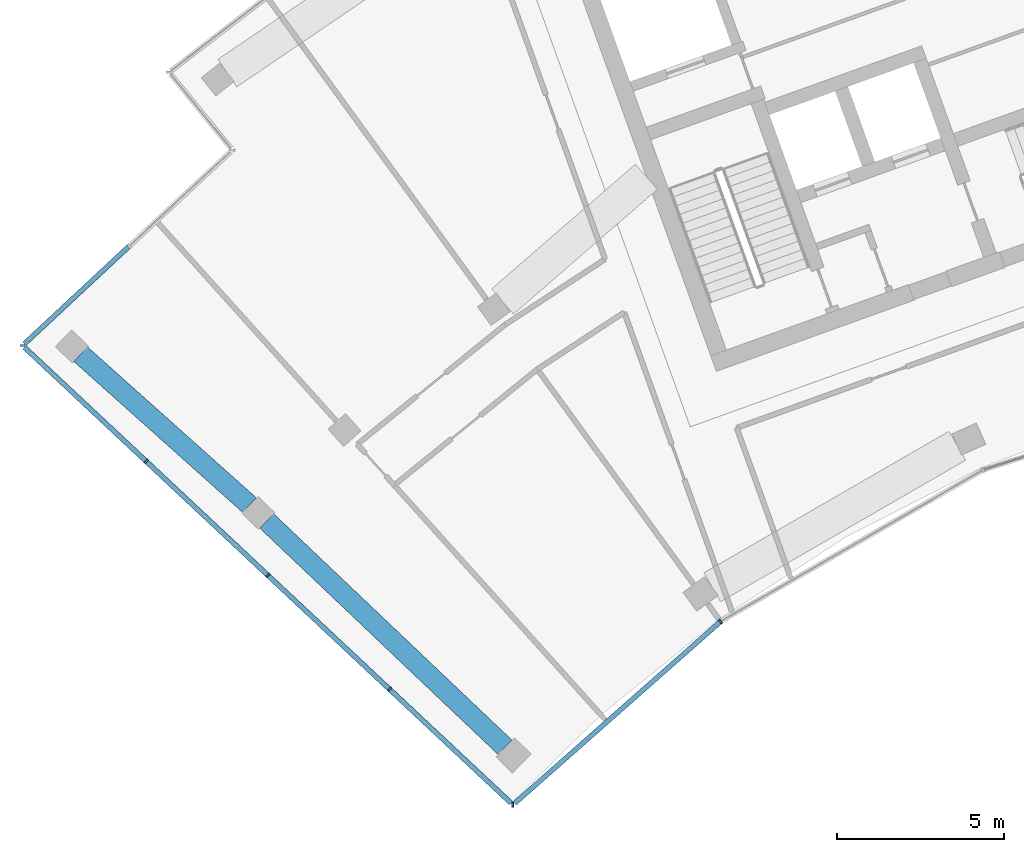
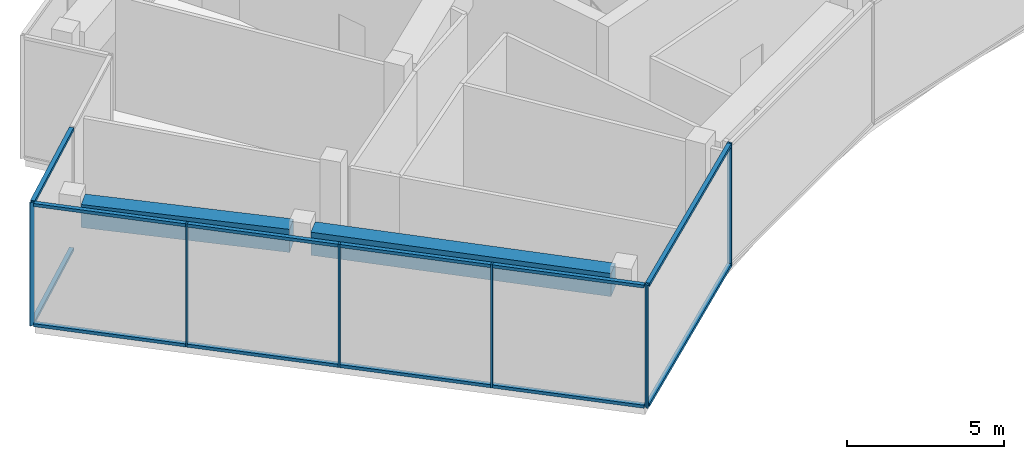
# One storey, part 2 of 17: 18 members, 2 beams, 3 elements without a shape of their own.
"""IFC4 building model written with IfcOpenShell, lengths in metres."""

from ifc_helpers import new_model, si_unit, direction, frame, origin, origin_2d, place, context, subcontext, project, spatial, rectangle, extrude, material, layer, layer_set, material_profile, profile_set, type_object, element, aggregate, save


model = new_model("IFC4")

# Units and contexts
model_context = context("Model", 3, precision=1e-05, world=origin(), true_north=direction((0.0, 1.0)))
body_context = subcontext(model_context, "Body", "Model", "MODEL_VIEW")
ifc_project = project(units=[si_unit("LENGTHUNIT", "METRE"), si_unit("AREAUNIT", "SQUARE_METRE"), si_unit("VOLUMEUNIT", "CUBIC_METRE"), si_unit("PLANEANGLEUNIT", "RADIAN"), si_unit("MASSUNIT", "GRAM", prefix="KILO")], contexts=[model_context])

# Site, building, storey
site_placement = place(None, origin())
site = spatial("IfcSite", under=ifc_project, at=site_placement, CompositionType="ELEMENT")
building_placement = place(site_placement, origin())
building = spatial("IfcBuilding", under=site, at=building_placement, Name="Stone Belt Terrace Tower", CompositionType="ELEMENT")
storey_placement = place(building_placement, frame((0.0, 0.0, 318.199951171875)))
storey = spatial("IfcBuildingStorey", under=building, at=storey_placement, Name="L77", CompositionType="ELEMENT", Elevation=318.199951171875)

# Curtain wall, members
ifc_material_1 = material(Name="Aluminium 6063-T6 anodised frame", Category="aluminium")
ifc_layer = layer(ifc_material_1, 0.14990234375)
ifc_layer_set = layer_set([ifc_layer], Name="CW-C stick curtain wall, horn ends and notches")
curtain_wall_type = type_object("IfcCurtainWallType", Name="CW-C stick curtain wall, horn ends and notches", PredefinedType="NOTDEFINED", material=ifc_layer_set)
curtain_wall_1_placement = place(storey_placement, origin())
curtain_wall_1 = element("IfcCurtainWall", 1, at=curtain_wall_1_placement, inside=storey, type_object=curtain_wall_type, Name="CW-C concave face L77", PredefinedType="NOTDEFINED")
ifc_material_profile_1 = material_profile(ifc_material_1, rectangle(XDim=0.14990234375, YDim=0.06005859375, at=origin_2d()), Name="Aluminium 6063-T6 60x150")
ifc_profile_set_1 = profile_set([ifc_material_profile_1], Name="Aluminium 6063-T6 anodised frame")
member_type_1 = type_object("IfcMemberType", Name="CW-C mullion 60 x 150", PredefinedType="MULLION", material=ifc_profile_set_1)
member_1_placement = place(storey_placement, frame((-31.75244140625, 29.633056640625, 0.0), z_axis=(0.0, 0.0, 1.0), x_axis=(0.014681639593, 0.999892218921, 0.0)))
member_1 = element("IfcMember", 2, at=member_1_placement, type_object=member_type_1, Name="CW-C mullion 1", PredefinedType="MULLION", context=body_context, shape_type="SweptSolid", body=[
    extrude(rectangle(XDim=0.14990234375, YDim=0.06005859375, at=origin_2d()), origin(), (0.0, 0.0, 1.0), 4.800048828125),
])
member_2_placement = place(storey_placement, frame((-25.524658203125, 35.131103515625, 0.0), z_axis=(0.0, 0.0, 1.0), x_axis=(-0.583818854632, 0.811883947973, 0.0)))
member_2 = element("IfcMember", 3, at=member_2_placement, type_object=member_type_1, Name="CW-C mullion 2", PredefinedType="MULLION", context=body_context, shape_type="SweptSolid", body=[
    extrude(rectangle(XDim=0.14990234375, YDim=0.06005859375, at=origin_2d()), origin(), (0.0, 0.0, 1.0), 4.800048828125),
])

curtain_wall_2_placement = place(storey_placement, origin())
curtain_wall_2 = element("IfcCurtainWall", 4, at=curtain_wall_2_placement, inside=storey, type_object=curtain_wall_type, Name="CW-C end face L77", PredefinedType="NOTDEFINED")
member_3_placement = place(storey_placement, frame((-46.458740234375, 43.405517578125, 0.0), z_axis=(0.0, 0.0, 1.0), x_axis=(0.999999447771, -0.00105093149, 0.0)))
member_3 = element("IfcMember", 5, at=member_3_placement, type_object=member_type_1, Name="CW-C mullion 1", PredefinedType="MULLION", context=body_context, shape_type="SweptSolid", body=[
    extrude(rectangle(XDim=0.14990234375, YDim=0.06005859375, at=origin_2d()), origin(), (0.0, 0.0, 1.0), 4.800048828125),
])
member_4_placement = place(storey_placement, frame((-42.750732421875, 39.932861328125, 0.0), z_axis=(0.0, 0.0, 1.0), x_axis=(0.683549434973, 0.729904219708, 0.0)))
member_4 = element("IfcMember", 6, at=member_4_placement, type_object=member_type_1, Name="CW-C mullion 2", PredefinedType="MULLION", context=body_context, shape_type="SweptSolid", body=[
    extrude(rectangle(XDim=0.14990234375, YDim=0.06005859375, at=origin_2d()), origin(), (0.0, 0.0, 1.0), 4.800048828125),
])
member_5_placement = place(storey_placement, frame((-39.10107421875, 36.51513671875, 0.0), z_axis=(0.0, 0.0, 1.0), x_axis=(0.683549434973, 0.729904219708, 0.0)))
member_5 = element("IfcMember", 7, at=member_5_placement, type_object=member_type_1, Name="CW-C mullion 3", PredefinedType="MULLION", context=body_context, shape_type="SweptSolid", body=[
    extrude(rectangle(XDim=0.14990234375, YDim=0.06005859375, at=origin_2d()), origin(), (0.0, 0.0, 1.0), 4.800048828125),
])
member_6_placement = place(storey_placement, frame((-35.45166015625, 33.097412109375, 0.0), z_axis=(0.0, 0.0, 1.0), x_axis=(0.683549434973, 0.729904219708, 0.0)))
member_6 = element("IfcMember", 8, at=member_6_placement, type_object=member_type_1, Name="CW-C mullion 4", PredefinedType="MULLION", context=body_context, shape_type="SweptSolid", body=[
    extrude(rectangle(XDim=0.14990234375, YDim=0.06005859375, at=origin_2d()), origin(), (0.0, 0.0, 1.0), 4.800048828125),
])

# Member
ifc_material_profile_2 = material_profile(ifc_material_1, rectangle(XDim=0.14990234375, YDim=0.1201171875, at=origin_2d()), Name="Aluminium 6063-T6 150x120")
ifc_profile_set_2 = profile_set([ifc_material_profile_2], Name="Aluminium 6063-T6 anodised frame")
member_type_2 = type_object("IfcMemberType", Name="CW-C transom 120 x 150", PredefinedType="USERDEFINED", material=ifc_profile_set_2)
member_7_placement = place(storey_placement, frame((-31.69775390625, 29.68115234375, 0.06005859375), z_axis=(0.749643131168, 0.661842259071, 0.0), x_axis=(-0.661842259071, 0.749643131168, 0.0)))
member_7 = element("IfcMember", 9, at=member_7_placement, type_object=member_type_2, Name="CW-C transom 1.1", ObjectType="TRANSOM", PredefinedType="USERDEFINED", context=body_context, shape_type="SweptSolid", body=[
    extrude(rectangle(XDim=0.14990234375, YDim=0.1201171875, at=origin_2d()), origin(), (0.0, 0.0, 1.0), 8.197265625),
])

member_8_placement = place(storey_placement, frame((-31.69775390625, 29.68115234375, 4.739990234375), z_axis=(0.749643131168, 0.661842259071, 0.0), x_axis=(-0.661842259071, 0.749643131168, 0.0)))
member_8 = element("IfcMember", 10, at=member_8_placement, type_object=member_type_2, Name="CW-C transom 1.2", ObjectType="TRANSOM", PredefinedType="USERDEFINED", context=body_context, shape_type="SweptSolid", body=[
    extrude(rectangle(XDim=0.14990234375, YDim=0.1201171875, at=origin_2d()), origin(), (0.0, 0.0, 1.0), 8.197265625),
])

aggregate(curtain_wall_1, [member_1, member_2, member_7, member_8])

# Curtain wall, members
curtain_wall_3_placement = place(storey_placement, origin())
curtain_wall_3 = element("IfcCurtainWall", 11, at=curtain_wall_3_placement, inside=storey, type_object=curtain_wall_type, Name="CW-C notch face L77", PredefinedType="NOTDEFINED")
member_9_placement = place(storey_placement, frame((-43.28173828125, 46.3681640625, 0.06005859375), z_axis=(-0.731353784958, -0.681998270693, 0.0), x_axis=(0.681998270693, -0.731353784958, 0.0)))
member_9 = element("IfcMember", 12, at=member_9_placement, type_object=member_type_2, Name="CW-C transom 2.1", ObjectType="TRANSOM", PredefinedType="USERDEFINED", context=body_context, shape_type="SweptSolid", body=[
    extrude(rectangle(XDim=0.14990234375, YDim=0.1201171875, at=origin_2d()), origin(), (0.0, 0.0, 1.0), 4.268798828125),
])
member_10_placement = place(storey_placement, frame((-43.28173828125, 46.3681640625, 4.739990234375), z_axis=(-0.731353784958, -0.681998270693, 0.0), x_axis=(0.681998270693, -0.731353784958, 0.0)))
member_10 = element("IfcMember", 13, at=member_10_placement, type_object=member_type_2, Name="CW-C transom 2.2", ObjectType="TRANSOM", PredefinedType="USERDEFINED", context=body_context, shape_type="SweptSolid", body=[
    extrude(rectangle(XDim=0.14990234375, YDim=0.1201171875, at=origin_2d()), origin(), (0.0, 0.0, 1.0), 4.268798828125),
])
aggregate(curtain_wall_3, [member_9, member_10])

# Member
member_11_placement = place(storey_placement, frame((-46.40380859375, 43.35400390625, 0.06005859375), z_axis=(0.729913558916, -0.683539462292, 0.0), x_axis=(0.683539462292, 0.729913558916, 0.0)))
member_11 = element("IfcMember", 14, at=member_11_placement, type_object=member_type_2, Name="CW-C transom 1.1", ObjectType="TRANSOM", PredefinedType="USERDEFINED", context=body_context, shape_type="SweptSolid", body=[
    extrude(rectangle(XDim=0.14990234375, YDim=0.1201171875, at=origin_2d()), origin(), (0.0, 0.0, 1.0), 4.97509765625),
])

member_12_placement = place(storey_placement, frame((-46.40380859375, 43.35400390625, 4.739990234375), z_axis=(0.729913558916, -0.683539462292, 0.0), x_axis=(0.683539462292, 0.729913558916, 0.0)))
member_12 = element("IfcMember", 15, at=member_12_placement, type_object=member_type_2, Name="CW-C transom 1.2", ObjectType="TRANSOM", PredefinedType="USERDEFINED", context=body_context, shape_type="SweptSolid", body=[
    extrude(rectangle(XDim=0.14990234375, YDim=0.1201171875, at=origin_2d()), origin(), (0.0, 0.0, 1.0), 4.97509765625),
])

member_13_placement = place(storey_placement, frame((-42.728759765625, 39.912353515625, 0.06005859375), z_axis=(0.729905447424, -0.683548123998, 0.0), x_axis=(0.683548123998, 0.729905447424, 0.0)))
member_13 = element("IfcMember", 16, at=member_13_placement, type_object=member_type_2, Name="CW-C transom 2.1", ObjectType="TRANSOM", PredefinedType="USERDEFINED", context=body_context, shape_type="SweptSolid", body=[
    extrude(rectangle(XDim=0.14990234375, YDim=0.1201171875, at=origin_2d()), origin(), (0.0, 0.0, 1.0), 4.93994140625),
])

member_14_placement = place(storey_placement, frame((-42.728759765625, 39.912353515625, 4.739990234375), z_axis=(0.729905447424, -0.683548123998, 0.0), x_axis=(0.683548123998, 0.729905447424, 0.0)))
member_14 = element("IfcMember", 17, at=member_14_placement, type_object=member_type_2, Name="CW-C transom 2.2", ObjectType="TRANSOM", PredefinedType="USERDEFINED", context=body_context, shape_type="SweptSolid", body=[
    extrude(rectangle(XDim=0.14990234375, YDim=0.1201171875, at=origin_2d()), origin(), (0.0, 0.0, 1.0), 4.93994140625),
])

member_15_placement = place(storey_placement, frame((-39.079345703125, 36.49462890625, 0.06005859375), z_axis=(0.729905447424, -0.683548123998, 0.0), x_axis=(0.683548123998, 0.729905447424, 0.0)))
member_15 = element("IfcMember", 18, at=member_15_placement, type_object=member_type_2, Name="CW-C transom 3.1", ObjectType="TRANSOM", PredefinedType="USERDEFINED", context=body_context, shape_type="SweptSolid", body=[
    extrude(rectangle(XDim=0.14990234375, YDim=0.1201171875, at=origin_2d()), origin(), (0.0, 0.0, 1.0), 4.93994140625),
])

member_16_placement = place(storey_placement, frame((-39.079345703125, 36.49462890625, 4.739990234375), z_axis=(0.729905447424, -0.683548123998, 0.0), x_axis=(0.683548123998, 0.729905447424, 0.0)))
member_16 = element("IfcMember", 19, at=member_16_placement, type_object=member_type_2, Name="CW-C transom 3.2", ObjectType="TRANSOM", PredefinedType="USERDEFINED", context=body_context, shape_type="SweptSolid", body=[
    extrude(rectangle(XDim=0.14990234375, YDim=0.1201171875, at=origin_2d()), origin(), (0.0, 0.0, 1.0), 4.93994140625),
])

member_17_placement = place(storey_placement, frame((-35.4296875, 33.076904296875, 0.06005859375), z_axis=(0.72988516347, -0.683569782938, 0.0), x_axis=(0.683569782938, 0.72988516347, 0.0)))
member_17 = element("IfcMember", 20, at=member_17_placement, type_object=member_type_2, Name="CW-C transom 4.1", ObjectType="TRANSOM", PredefinedType="USERDEFINED", context=body_context, shape_type="SweptSolid", body=[
    extrude(rectangle(XDim=0.14990234375, YDim=0.1201171875, at=origin_2d()), origin(), (0.0, 0.0, 1.0), 4.965576171875),
])

member_18_placement = place(storey_placement, frame((-35.4296875, 33.076904296875, 4.739990234375), z_axis=(0.72988516347, -0.683569782938, 0.0), x_axis=(0.683569782938, 0.72988516347, 0.0)))
member_18 = element("IfcMember", 21, at=member_18_placement, type_object=member_type_2, Name="CW-C transom 4.2", ObjectType="TRANSOM", PredefinedType="USERDEFINED", context=body_context, shape_type="SweptSolid", body=[
    extrude(rectangle(XDim=0.14990234375, YDim=0.1201171875, at=origin_2d()), origin(), (0.0, 0.0, 1.0), 4.965576171875),
])

aggregate(curtain_wall_2, [member_3, member_4, member_5, member_6, member_11, member_12, member_13, member_14, member_15, member_16, member_17, member_18])

# Beams
ifc_material_2 = material(Name="Concrete B60", Category="concrete")
ifc_material_profile_3 = material_profile(ifc_material_2, rectangle(XDim=0.60009765625, YDim=0.89990234375, at=origin_2d()), Name="RC 600x900")
ifc_profile_set_3 = profile_set([ifc_material_profile_3], Name="Concrete B60")
beam_type = type_object("IfcBeamType", Name="Edge beam RC 600x900 B60", PredefinedType="SPANDREL", material=ifc_profile_set_3)
beam_1_placement = place(storey_placement, frame((-31.98876953125, 31.35791015625, 4.0), z_axis=(-0.725018605512, 0.688729280387, 0.0), x_axis=(-0.688729280387, -0.725018605512, 0.0)))
element("IfcBeam", 22, at=beam_1_placement, inside=storey, type_object=beam_type, Name="Edge beam L77 A P to Q", PredefinedType="SPANDREL", context=body_context, shape_type="SweptSolid", body=[
    extrude(rectangle(XDim=0.60009765625, YDim=0.89990234375, at=origin_2d()), origin(), (0.0, 0.0, 1.0), 9.85595703125),
])
beam_2_placement = place(storey_placement, frame((-39.649658203125, 38.620361328125, 4.0), z_axis=(-0.745646224154, 0.666342035598, 0.0), x_axis=(-0.666342035598, -0.745646224154, 0.0)))
element("IfcBeam", 23, at=beam_2_placement, inside=storey, type_object=beam_type, Name="Edge beam L77 A Q to R", PredefinedType="SPANDREL", context=body_context, shape_type="SweptSolid", body=[
    extrude(rectangle(XDim=0.60009765625, YDim=0.89990234375, at=origin_2d()), origin(), (0.0, 0.0, 1.0), 6.79443359375),
])

save(model, "model.ifc")
